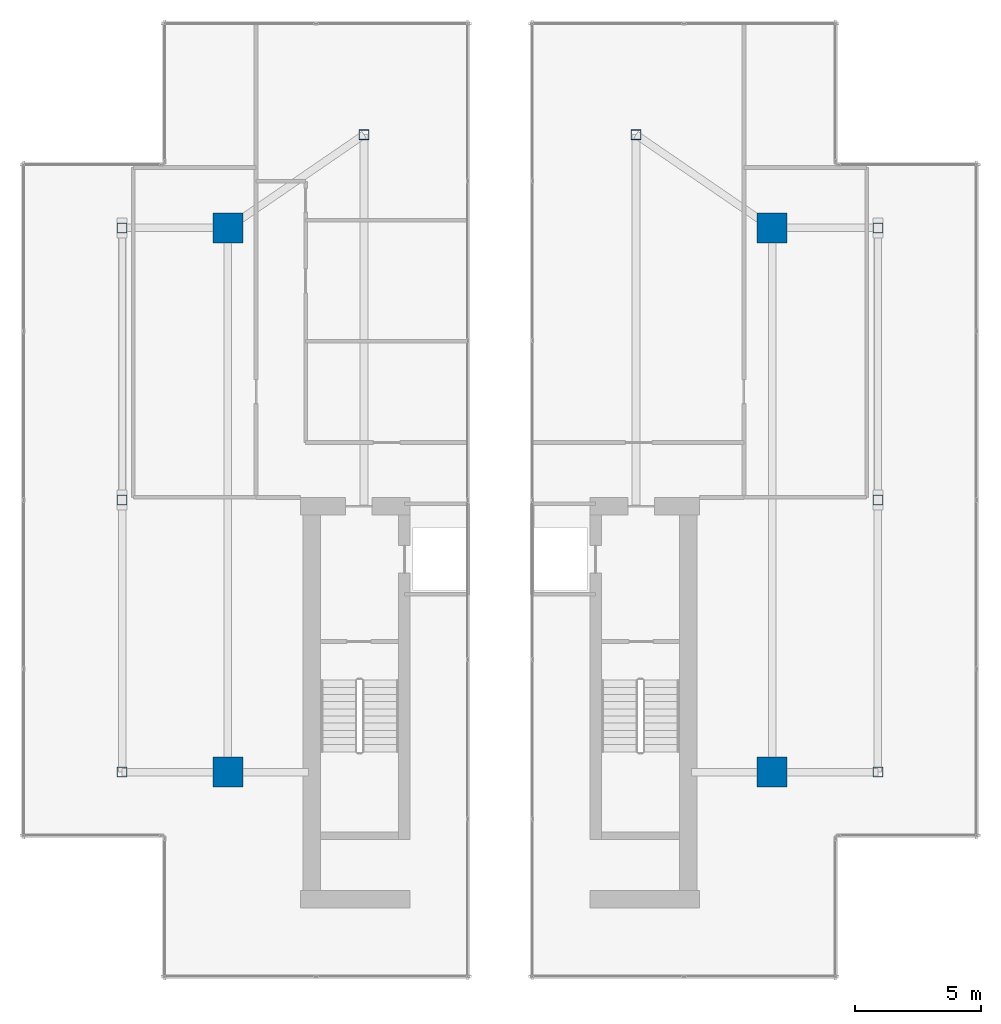
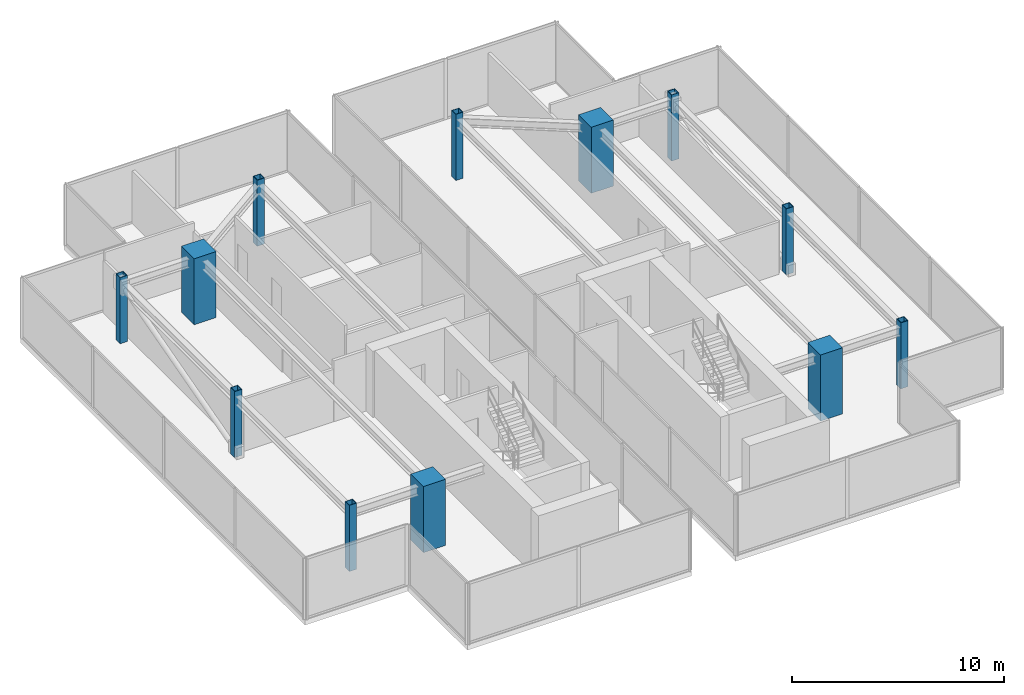
# One storey, part 1 of 25: 12 columns.
"""IFC4 building model written with IfcOpenShell, lengths in metres."""

from ifc_helpers import new_model, si_unit, direction, frame, origin, origin_2d, place, context, subcontext, project, spatial, rectangle, hollow_rectangle, extrude, source, transform, mapped, material, material_profile, profile_set, type_object, type_shapes, element, save


model = new_model("IFC4")

# Units and contexts
model_context = context("Model", 3, precision=1e-05, world=origin(), true_north=direction((0.0, 1.0)))
body_context = subcontext(model_context, "Body", "Model", "MODEL_VIEW")
ifc_project = project(units=[si_unit("LENGTHUNIT", "METRE"), si_unit("AREAUNIT", "SQUARE_METRE"), si_unit("VOLUMEUNIT", "CUBIC_METRE"), si_unit("PLANEANGLEUNIT", "RADIAN"), si_unit("MASSUNIT", "GRAM", prefix="KILO")], contexts=[model_context])

# Site, building, storey
site_placement = place(None, origin())
site = spatial("IfcSite", under=ifc_project, at=site_placement, CompositionType="ELEMENT")
building_placement = place(site_placement, origin())
building = spatial("IfcBuilding", under=site, at=building_placement, Name="Krantzveldt Concourse Tower", CompositionType="ELEMENT")
storey_placement = place(building_placement, frame((0.0, 0.0, 370.85009765625)))
storey = spatial("IfcBuildingStorey", under=building, at=storey_placement, Name="L91", CompositionType="ELEMENT", Elevation=370.85009765625)

# Columns
ifc_material_1 = material(Name="Concrete C50/60", Category="concrete")
ifc_material_profile_1 = material_profile(ifc_material_1, rectangle(XDim=1.199951171875, YDim=1.199951171875, at=origin_2d()), Name="Concrete C50/60", Category="concrete")
ifc_profile_set_1 = profile_set([ifc_material_profile_1], Name="Concrete C50/60 - RC 1200x1200")
column_type_1 = type_object("IfcColumnType", Name="COL-MC-1200", PredefinedType="USERDEFINED", material=ifc_profile_set_1)
shared_shape_1 = source(origin(), body_context, "Body", "SweptSolid", [
    extrude(rectangle(XDim=1.199951171875, YDim=1.199951171875, at=origin_2d()), origin(), (0.0, 0.0, 1.0), 3.7998046875),
])
type_shapes(column_type_1, [shared_shape_1])
for number, where, z_axis, x_axis, name in (
    (1, (25.199951171875, 15.89990234375, 0.0), (0.0, 0.0, 1.0), (1.0, 0.0, 0.0), "MC-SW-L91"),
    (2, (46.800048828125, 15.89990234375, 0.0), (0.0, 0.0, 1.0), (1.0, 0.0, 0.0), "MC-SE-L91"),
    (3, (46.800048828125, 37.5, 0.0), (0.0, 0.0, 1.0), (1.0, 0.0, 0.0), "MC-NE-L91"),
    (4, (25.199951171875, 37.5, 0.0), (0.0, 0.0, 1.0), (1.0, 0.0, 0.0), "MC-NW-L91"),
):
    element("IfcColumn", number, at=place(storey_placement, frame(where, z_axis=z_axis, x_axis=x_axis)), inside=storey, type_object=column_type_1, Name=name, ObjectType="MEGA COLUMN", PredefinedType="USERDEFINED", context=body_context, shape_type="MappedRepresentation", body=[
        mapped(shared_shape_1, transform((0.0, 0.0, 0.0), x_axis=(1.0, 0.0, 0.0), y_axis=(0.0, 1.0, 0.0), z_axis=(0.0, 0.0, 1.0), scale=1.0)),
    ])
ifc_material_2 = material(Name="Steel S355J2", Category="steel")
ifc_material_profile_2 = material_profile(ifc_material_2, hollow_rectangle(XDim=0.39990234375, YDim=0.39990234375, WallThickness=0.02490234375, at=origin_2d()), Name="Steel S355J2", Category="steel")
ifc_profile_set_2 = profile_set([ifc_material_profile_2], Name="Steel S355J2 - SHS 400x400x25")
column_type_2 = type_object("IfcColumnType", Name="COL-SC-SHS400", PredefinedType="COLUMN", material=ifc_profile_set_2)
shared_shape_2 = source(origin(), body_context, "Body", "SweptSolid", [
    extrude(hollow_rectangle(XDim=0.39990234375, YDim=0.39990234375, WallThickness=0.02490234375, at=origin_2d()), origin(), (0.0, 0.0, 1.0), 3.7998046875),
])
type_shapes(column_type_2, [shared_shape_2])
for number, where, z_axis, x_axis, name in (
    (5, (21.0, 15.89990234375, 0.0), (0.0, 0.0, 1.0), (1.0, 0.0, 0.0), "CC-L91-W1"),
    (6, (21.0, 26.699951171875, 0.0), (0.0, 0.0, 1.0), (1.0, 0.0, 0.0), "CC-L91-W2"),
    (7, (21.0, 37.5, 0.0), (0.0, 0.0, 1.0), (1.0, 0.0, 0.0), "CC-L91-W3"),
    (8, (30.60009765625, 41.199951171875, 0.0), (0.0, 0.0, 1.0), (1.0, 0.0, 0.0), "CC-L91-W4"),
    (9, (51.0, 15.89990234375, 0.0), (0.0, 0.0, 1.0), (1.0, 0.0, 0.0), "CC-L91-E1"),
    (10, (51.0, 26.699951171875, 0.0), (0.0, 0.0, 1.0), (1.0, 0.0, 0.0), "CC-L91-E2"),
    (11, (51.0, 37.5, 0.0), (0.0, 0.0, 1.0), (1.0, 0.0, 0.0), "CC-L91-E3"),
    (12, (41.39990234375, 41.199951171875, 0.0), (0.0, 0.0, 1.0), (1.0, 0.0, 0.0), "CC-L91-E4"),
):
    element("IfcColumn", number, at=place(storey_placement, frame(where, z_axis=z_axis, x_axis=x_axis)), inside=storey, type_object=column_type_2, Name=name, PredefinedType="COLUMN", context=body_context, shape_type="MappedRepresentation", body=[
        mapped(shared_shape_2, transform((0.0, 0.0, 0.0), x_axis=(1.0, 0.0, 0.0), y_axis=(0.0, 1.0, 0.0), z_axis=(0.0, 0.0, 1.0), scale=1.0)),
    ])

save(model, "model.ifc")
